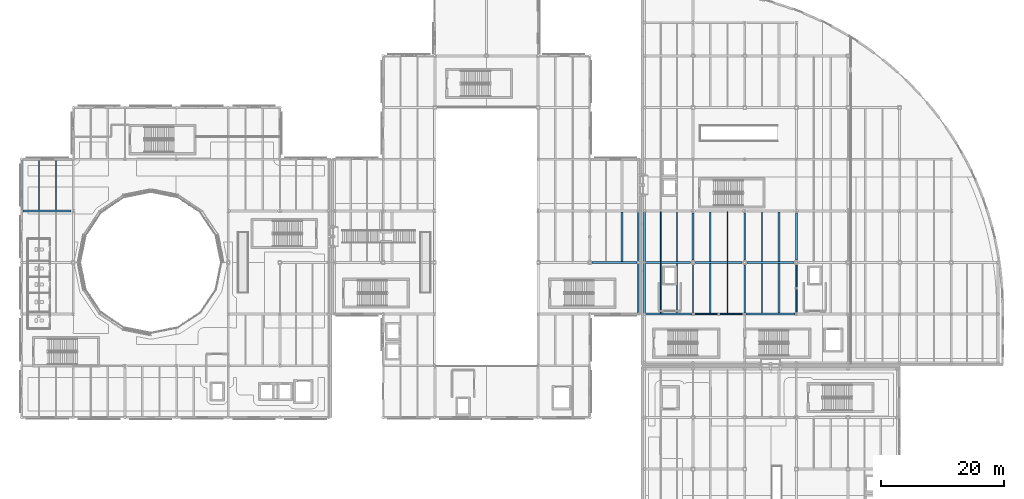
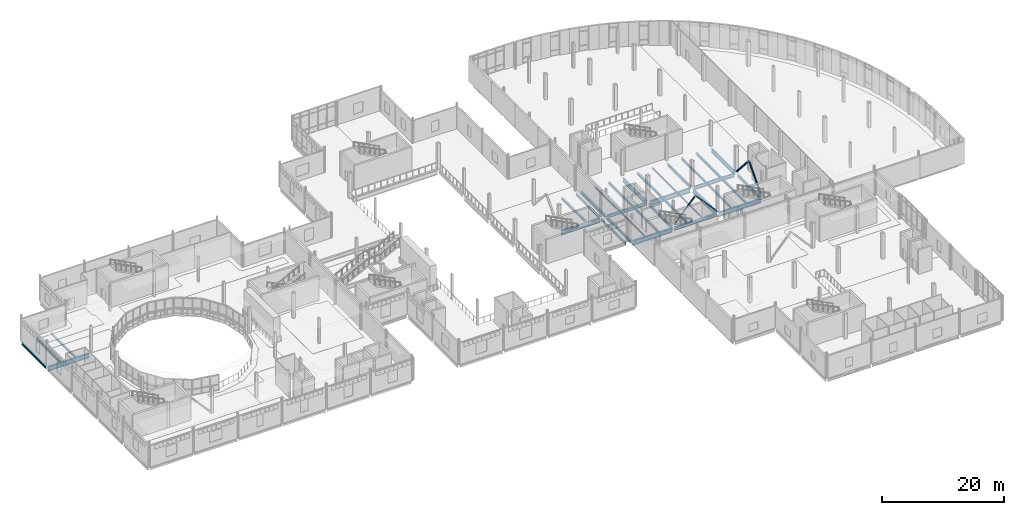
# One storey, part 25 of 104: 34 beams, 4 members.
"""IFC4 building model written with IfcOpenShell, lengths in metres."""

from ifc_helpers import new_model, si_unit, direction, frame, origin, origin_2d, place, context, subcontext, project, spatial, hollow_rectangle, hollow_circle, i_section, extrude, material, material_profile, profile_set, type_object, element, save


model = new_model("IFC4")

# Units and contexts
model_context = context("Model", 3, precision=1e-05, world=origin(), true_north=direction((0.0, 1.0)))
body_context = subcontext(model_context, "Body", "Model", "MODEL_VIEW")
ifc_project = project(units=[si_unit("LENGTHUNIT", "METRE"), si_unit("AREAUNIT", "SQUARE_METRE"), si_unit("VOLUMEUNIT", "CUBIC_METRE"), si_unit("PLANEANGLEUNIT", "RADIAN"), si_unit("MASSUNIT", "GRAM", prefix="KILO"), si_unit("THERMODYNAMICTEMPERATUREUNIT", "KELVIN")], contexts=[model_context])

# Site, building, storey
site_placement = place(None, origin())
site = spatial("IfcSite", under=ifc_project, at=site_placement, CompositionType="ELEMENT")
building_placement = place(site_placement, origin())
building = spatial("IfcBuilding", under=site, at=building_placement, Name="Lustrewick Department Store", CompositionType="ELEMENT")
storey_placement = place(building_placement, frame((0.0, 0.0, 11.39990234375)))
storey = spatial("IfcBuildingStorey", under=building, at=storey_placement, Name="L03", CompositionType="ELEMENT", Elevation=11.39990234375)

# Beams
ifc_material_1 = material(Name="Structural steel Q355B", Category="steel")
ifc_material_profile_1 = material_profile(ifc_material_1, i_section(OverallWidth=0.198974609375, OverallDepth=0.49609375, WebThickness=0.009033203125, FlangeThickness=0.013916015625, FilletRadius=0.01611328125, at=origin_2d()), Name="HN 496x199x9x14")
ifc_profile_set_1 = profile_set([ifc_material_profile_1], Name="Structural steel Q355B")
beam_type_1 = type_object("IfcBeamType", Name="B02", PredefinedType="JOIST", material=ifc_profile_set_1)
beam_1_placement = place(storey_placement, frame((11.199951171875, 75.75, -0.5029296875), z_axis=(0.0, 1.0, 0.0), x_axis=(-1.0, 0.0, 0.0)))
element("IfcBeam", 1, at=beam_1_placement, inside=storey, type_object=beam_type_1, Name="L03 V1 Secondary Joist B02", PredefinedType="JOIST", context=body_context, shape_type="SweptSolid", body=[
    extrude(i_section(OverallWidth=0.198974609375, OverallDepth=0.49609375, WebThickness=0.009033203125, FlangeThickness=0.013916015625, FilletRadius=0.01611328125, at=origin_2d()), origin(), (0.0, 0.0, 1.0), 8.14990234375),
])
ifc_material_profile_2 = material_profile(ifc_material_1, i_section(OverallWidth=0.199951171875, OverallDepth=0.449951171875, WebThickness=0.009033203125, FlangeThickness=0.013916015625, FilletRadius=0.01611328125, at=origin_2d()), Name="HN 450x200x9x14")
ifc_profile_set_2 = profile_set([ifc_material_profile_2], Name="Structural steel Q355B")
beam_type_2 = type_object("IfcBeamType", Name="B03", PredefinedType="JOIST", material=ifc_profile_set_2)
beam_2_placement = place(storey_placement, frame((114.966796875, 58.950927734375, -0.47998046875), z_axis=(0.0, 1.0, 0.0), x_axis=(-1.0, 0.0, 0.0)))
element("IfcBeam", 2, at=beam_2_placement, inside=storey, type_object=beam_type_2, Name="L03 V4 Secondary Joist B03", PredefinedType="JOIST", context=body_context, shape_type="SweptSolid", body=[
    extrude(i_section(OverallWidth=0.199951171875, OverallDepth=0.449951171875, WebThickness=0.009033203125, FlangeThickness=0.013916015625, FilletRadius=0.01611328125, at=origin_2d()), origin(), (0.0, 0.0, 1.0), 8.09814453125),
])
beam_3_placement = place(storey_placement, frame((128.800048828125, 58.950927734375, -0.47998046875), z_axis=(0.0, 1.0, 0.0), x_axis=(-1.0, 0.0, 0.0)))
element("IfcBeam", 3, at=beam_3_placement, inside=storey, type_object=beam_type_2, Name="L03 V4 Secondary Joist B03", PredefinedType="JOIST", context=body_context, shape_type="SweptSolid", body=[
    extrude(i_section(OverallWidth=0.199951171875, OverallDepth=0.449951171875, WebThickness=0.009033203125, FlangeThickness=0.013916015625, FilletRadius=0.01611328125, at=origin_2d()), origin(), (0.0, 0.0, 1.0), 8.09912109375),
])
beam_4_placement = place(storey_placement, frame((114.966796875, 67.35107421875, -0.47998046875), z_axis=(0.0, 1.0, 0.0), x_axis=(-1.0, 0.0, 0.0)))
element("IfcBeam", 4, at=beam_4_placement, inside=storey, type_object=beam_type_2, Name="L03 V4 Secondary Joist B03", PredefinedType="JOIST", context=body_context, shape_type="SweptSolid", body=[
    extrude(i_section(OverallWidth=0.199951171875, OverallDepth=0.449951171875, WebThickness=0.009033203125, FlangeThickness=0.013916015625, FilletRadius=0.01611328125, at=origin_2d()), origin(), (0.0, 0.0, 1.0), 8.097900390625),
])
beam_5_placement = place(storey_placement, frame((128.800048828125, 67.35009765625, -0.47998046875), z_axis=(0.0, 1.0, 0.0), x_axis=(-1.0, 0.0, 0.0)))
element("IfcBeam", 5, at=beam_5_placement, inside=storey, type_object=beam_type_2, Name="L03 V4 Secondary Joist B03", PredefinedType="JOIST", context=body_context, shape_type="SweptSolid", body=[
    extrude(i_section(OverallWidth=0.199951171875, OverallDepth=0.449951171875, WebThickness=0.009033203125, FlangeThickness=0.013916015625, FilletRadius=0.01611328125, at=origin_2d()), origin(), (0.0, 0.0, 1.0), 8.098876953125),
])
ifc_material_profile_3 = material_profile(ifc_material_1, i_section(OverallWidth=0.198974609375, OverallDepth=0.39599609375, WebThickness=0.007080078125, FlangeThickness=0.010986328125, FilletRadius=0.013916015625, at=origin_2d()), Name="HN 396x199x7x11")
ifc_profile_set_3 = profile_set([ifc_material_profile_3], Name="Structural steel Q355B")
beam_type_3 = type_object("IfcBeamType", Name="B06", PredefinedType="JOIST", material=ifc_profile_set_3)
beam_6_placement = place(storey_placement, frame((14.0, 75.75, -0.452880859375), z_axis=(0.0, 1.0, 0.0), x_axis=(-1.0, 0.0, 0.0)))
element("IfcBeam", 6, at=beam_6_placement, inside=storey, type_object=beam_type_3, Name="L03 V1 Secondary Joist B06", PredefinedType="JOIST", context=body_context, shape_type="SweptSolid", body=[
    extrude(i_section(OverallWidth=0.198974609375, OverallDepth=0.39599609375, WebThickness=0.007080078125, FlangeThickness=0.010986328125, FilletRadius=0.013916015625, at=origin_2d()), origin(), (0.0, 0.0, 1.0), 8.14990234375),
])
ifc_material_profile_4 = material_profile(ifc_material_1, i_section(OverallWidth=0.300048828125, OverallDepth=0.389892578125, WebThickness=0.010009765625, FlangeThickness=0.01611328125, FilletRadius=0.01806640625, at=origin_2d()), Name="HM 390x300x10x16")
ifc_profile_set_4 = profile_set([ifc_material_profile_4], Name="Structural steel Q355B")
beam_type_4 = type_object("IfcBeamType", Name="B07", PredefinedType="JOIST", material=ifc_profile_set_4)
beam_7_placement = place(storey_placement, frame((106.066650390625, 67.35107421875, -0.449951171875), z_axis=(0.0, 1.0, 0.0), x_axis=(-1.0, 0.0, 0.0)))
element("IfcBeam", 7, at=beam_7_placement, inside=storey, type_object=beam_type_4, Name="L03 V2 Secondary Joist B07", PredefinedType="JOIST", context=body_context, shape_type="SweptSolid", body=[
    extrude(i_section(OverallWidth=0.300048828125, OverallDepth=0.389892578125, WebThickness=0.010009765625, FlangeThickness=0.01611328125, FilletRadius=0.01806640625, at=origin_2d()), origin(), (0.0, 0.0, 1.0), 8.098876953125),
])
for number, where, z_axis, x_axis, name in (
    (8, (120.39990234375, 58.949951171875, -0.449951171875), (0.0, 1.0, 0.0), (-1.0, 0.0, 0.0), "L03 V4 Secondary Joist B07"),
    (9, (131.60009765625, 58.950927734375, -0.449951171875), (0.0, 1.0, 0.0), (-1.0, 0.0, 0.0), "L03 V4 Secondary Joist B07"),
):
    element("IfcBeam", number, at=place(storey_placement, frame(where, z_axis=z_axis, x_axis=x_axis)), inside=storey, type_object=beam_type_4, Name=name, PredefinedType="JOIST", context=body_context, shape_type="SweptSolid", body=[
        extrude(i_section(OverallWidth=0.300048828125, OverallDepth=0.389892578125, WebThickness=0.010009765625, FlangeThickness=0.01611328125, FilletRadius=0.01806640625, at=origin_2d()), origin(), (0.0, 0.0, 1.0), 8.09912109375),
    ])
for number, where, z_axis, x_axis, name in (
    (10, (120.39990234375, 67.35107421875, -0.449951171875), (0.0, 1.0, 0.0), (-1.0, 0.0, 0.0), "L03 V4 Secondary Joist B07"),
    (11, (131.60009765625, 67.35009765625, -0.449951171875), (0.0, 1.0, 0.0), (-1.0, 0.0, 0.0), "L03 V4 Secondary Joist B07"),
):
    element("IfcBeam", number, at=place(storey_placement, frame(where, z_axis=z_axis, x_axis=x_axis)), inside=storey, type_object=beam_type_4, Name=name, PredefinedType="JOIST", context=body_context, shape_type="SweptSolid", body=[
        extrude(i_section(OverallWidth=0.300048828125, OverallDepth=0.389892578125, WebThickness=0.010009765625, FlangeThickness=0.01611328125, FilletRadius=0.01806640625, at=origin_2d()), origin(), (0.0, 0.0, 1.0), 8.098876953125),
    ])
ifc_material_profile_5 = material_profile(ifc_material_1, i_section(OverallWidth=0.14990234375, OverallDepth=0.300048828125, WebThickness=0.006591796875, FlangeThickness=0.009033203125, FilletRadius=0.011962890625, at=origin_2d()), Name="HN 300x150x6.5x9")
ifc_profile_set_5 = profile_set([ifc_material_profile_5], Name="Structural steel Q355B")
beam_type_5 = type_object("IfcBeamType", Name="B11", PredefinedType="JOIST", material=ifc_profile_set_5)
beam_8_placement = place(storey_placement, frame((123.199951171875, 58.949951171875, -0.40478515625), z_axis=(0.0, 1.0, 0.0), x_axis=(-1.0, 0.0, 0.0)))
element("IfcBeam", 12, at=beam_8_placement, inside=storey, type_object=beam_type_5, Name="L03 V4 Secondary Joist B11", PredefinedType="JOIST", context=body_context, shape_type="SweptSolid", body=[
    extrude(i_section(OverallWidth=0.14990234375, OverallDepth=0.300048828125, WebThickness=0.006591796875, FlangeThickness=0.009033203125, FilletRadius=0.011962890625, at=origin_2d()), origin(), (0.0, 0.0, 1.0), 8.09912109375),
])
beam_9_placement = place(storey_placement, frame((123.199951171875, 67.35107421875, -0.40478515625), z_axis=(0.0, 1.0, 0.0), x_axis=(-1.0, 0.0, 0.0)))
element("IfcBeam", 13, at=beam_9_placement, inside=storey, type_object=beam_type_5, Name="L03 V4 Secondary Joist B11", PredefinedType="JOIST", context=body_context, shape_type="SweptSolid", body=[
    extrude(i_section(OverallWidth=0.14990234375, OverallDepth=0.300048828125, WebThickness=0.006591796875, FlangeThickness=0.009033203125, FilletRadius=0.011962890625, at=origin_2d()), origin(), (0.0, 0.0, 1.0), 8.098876953125),
])
ifc_material_profile_6 = material_profile(ifc_material_1, i_section(OverallWidth=0.14892578125, OverallDepth=0.298095703125, WebThickness=0.005615234375, FlangeThickness=0.008056640625, FilletRadius=0.011962890625, at=origin_2d()), Name="HN 298x149x5.5x8")
ifc_profile_set_6 = profile_set([ifc_material_profile_6], Name="Structural steel Q355B")
beam_type_6 = type_object("IfcBeamType", Name="B12", PredefinedType="JOIST", material=ifc_profile_set_6)
beam_10_placement = place(storey_placement, frame((112.333251953125, 58.950927734375, -0.40380859375), z_axis=(0.0, 1.0, 0.0), x_axis=(-1.0, 0.0, 0.0)))
element("IfcBeam", 14, at=beam_10_placement, inside=storey, type_object=beam_type_6, Name="L03 V4 Secondary Joist B12", PredefinedType="JOIST", context=body_context, shape_type="SweptSolid", body=[
    extrude(i_section(OverallWidth=0.14892578125, OverallDepth=0.298095703125, WebThickness=0.005615234375, FlangeThickness=0.008056640625, FilletRadius=0.011962890625, at=origin_2d()), origin(), (0.0, 0.0, 1.0), 8.09814453125),
])
beam_11_placement = place(storey_placement, frame((112.333251953125, 67.35107421875, -0.40380859375), z_axis=(0.0, 1.0, 0.0), x_axis=(-1.0, 0.0, 0.0)))
element("IfcBeam", 15, at=beam_11_placement, inside=storey, type_object=beam_type_6, Name="L03 V4 Secondary Joist B12", PredefinedType="JOIST", context=body_context, shape_type="SweptSolid", body=[
    extrude(i_section(OverallWidth=0.14892578125, OverallDepth=0.298095703125, WebThickness=0.005615234375, FlangeThickness=0.008056640625, FilletRadius=0.011962890625, at=origin_2d()), origin(), (0.0, 0.0, 1.0), 8.097900390625),
])

# Members
ifc_material_2 = material(Name="Structural steel Q355C", Category="steel")
ifc_material_profile_7 = material_profile(ifc_material_2, hollow_circle(Radius=0.16259765625, WallThickness=0.011962890625, at=origin_2d()), Name="CHS 325x12")
ifc_profile_set_7 = profile_set([ifc_material_profile_7], Name="Structural steel Q355C")
member_type_1 = type_object("IfcMemberType", Name="BR01", PredefinedType="BRACE", material=ifc_profile_set_7)
member_1_placement = place(storey_placement, frame((134.39990234375, 58.97509765625, 0.150146484375), z_axis=(0.0, 0.67031588717, 0.742075879818), x_axis=(-1.0, 0.0, 0.0)))
element("IfcMember", 16, at=member_1_placement, inside=storey, type_object=member_type_1, Name="L03 V4 Chevron Brace BR01", PredefinedType="BRACE", context=body_context, shape_type="SweptSolid", body=[
    extrude(hollow_circle(Radius=0.16259765625, WallThickness=0.011962890625, at=origin_2d()), origin(), (0.0, 0.0, 1.0), 5.855224609375),
])
member_2_placement = place(storey_placement, frame((134.39990234375, 66.949951171875, 0.150146484375), z_axis=(0.0, -0.66317529088, 0.748464116418), x_axis=(1.0, 0.0, 0.0)))
element("IfcMember", 17, at=member_2_placement, inside=storey, type_object=member_type_1, Name="L03 V4 Chevron Brace BR01", PredefinedType="BRACE", context=body_context, shape_type="SweptSolid", body=[
    extrude(hollow_circle(Radius=0.16259765625, WallThickness=0.011962890625, at=origin_2d()), origin(), (0.0, 0.0, 1.0), 5.80517578125),
])
ifc_material_profile_8 = material_profile(ifc_material_1, hollow_rectangle(XDim=0.179931640625, YDim=0.179931640625, WallThickness=0.008056640625, at=origin_2d()), Name="SHS 180x180x8")
ifc_profile_set_8 = profile_set([ifc_material_profile_8], Name="Structural steel Q355B")
member_type_2 = type_object("IfcMemberType", Name="BR10", PredefinedType="BRACE", material=ifc_profile_set_8)
for number, where, z_axis, x_axis, name in (
    (18, (117.77490234375, 58.800048828125, 0.150146484375), (0.670338847595, 0.0, 0.742055139059), (0.0, 1.0, 0.0), "L03 V4 Chevron Brace BR10"),
    (19, (125.824951171875, 58.800048828125, 0.150146484375), (-0.670338847595, 0.0, 0.742055139059), (0.0, -1.0, 0.0), "L03 V4 Chevron Brace BR10"),
):
    element("IfcMember", number, at=place(storey_placement, frame(where, z_axis=z_axis, x_axis=x_axis)), inside=storey, type_object=member_type_2, Name=name, PredefinedType="BRACE", context=body_context, shape_type="SweptSolid", body=[
        extrude(hollow_rectangle(XDim=0.179931640625, YDim=0.179931640625, WallThickness=0.008056640625, at=origin_2d()), origin(), (0.0, 0.0, 1.0), 5.855224609375),
    ])

# Beams
ifc_material_profile_9 = material_profile(ifc_material_2, i_section(OverallWidth=0.302001953125, OverallDepth=0.912109375, WebThickness=0.01806640625, FlangeThickness=0.033935546875, FilletRadius=0.02392578125, at=origin_2d()), Name="HN 912x302x18x34")
ifc_profile_set_9 = profile_set([ifc_material_profile_9], Name="Structural steel Q355C")
beam_type_7 = type_object("IfcBeamType", Name="G01", PredefinedType="BEAM", material=ifc_profile_set_9)
beam_12_placement = place(storey_placement, frame((101.199951171875, 67.199951171875, -0.7109375), z_axis=(1.0, 0.0, 0.0), x_axis=(0.0, 1.0, 0.0)))
element("IfcBeam", 20, at=beam_12_placement, inside=storey, type_object=beam_type_7, Name="L03 V2 Girder G01", PredefinedType="BEAM", context=body_context, shape_type="SweptSolid", body=[
    extrude(i_section(OverallWidth=0.302001953125, OverallDepth=0.912109375, WebThickness=0.01806640625, FlangeThickness=0.033935546875, FilletRadius=0.02392578125, at=origin_2d()), origin(), (0.0, 0.0, 1.0), 7.3115234375),
])
beam_13_placement = place(storey_placement, frame((109.888427734375, 58.800048828125, -0.7109375), z_axis=(1.0, 0.0, 0.0), x_axis=(0.0, 1.0, 0.0)))
element("IfcBeam", 21, at=beam_13_placement, inside=storey, type_object=beam_type_7, Name="L03 V4 Girder G01", PredefinedType="BEAM", context=body_context, shape_type="SweptSolid", body=[
    extrude(i_section(OverallWidth=0.302001953125, OverallDepth=0.912109375, WebThickness=0.01806640625, FlangeThickness=0.033935546875, FilletRadius=0.02392578125, at=origin_2d()), origin(), (0.0, 0.0, 1.0), 7.509033203125),
])
beam_14_placement = place(storey_placement, frame((126.202392578125, 58.800048828125, -0.7109375), z_axis=(1.0, 0.0, 0.0), x_axis=(0.0, 1.0, 0.0)))
element("IfcBeam", 22, at=beam_14_placement, inside=storey, type_object=beam_type_7, Name="L03 V4 Girder G01", PredefinedType="BEAM", context=body_context, shape_type="SweptSolid", body=[
    extrude(i_section(OverallWidth=0.302001953125, OverallDepth=0.912109375, WebThickness=0.01806640625, FlangeThickness=0.033935546875, FilletRadius=0.02392578125, at=origin_2d()), origin(), (0.0, 0.0, 1.0), 7.9951171875),
])
beam_15_placement = place(storey_placement, frame((118.0, 67.199951171875, -0.7109375), z_axis=(1.0, 0.0, 0.0), x_axis=(0.0, 1.0, 0.0)))
element("IfcBeam", 23, at=beam_15_placement, inside=storey, type_object=beam_type_7, Name="L03 V4 Girder G01", PredefinedType="BEAM", context=body_context, shape_type="SweptSolid", body=[
    extrude(i_section(OverallWidth=0.302001953125, OverallDepth=0.912109375, WebThickness=0.01806640625, FlangeThickness=0.033935546875, FilletRadius=0.02392578125, at=origin_2d()), origin(), (0.0, 0.0, 1.0), 7.60009765625),
])
ifc_material_profile_10 = material_profile(ifc_material_2, i_section(OverallWidth=0.300048828125, OverallDepth=0.89990234375, WebThickness=0.01611328125, FlangeThickness=0.028076171875, FilletRadius=0.02392578125, at=origin_2d()), Name="HN 900x300x16x28")
ifc_profile_set_10 = profile_set([ifc_material_profile_10], Name="Structural steel Q355C")
beam_type_8 = type_object("IfcBeamType", Name="G02", PredefinedType="BEAM", material=ifc_profile_set_10)
beam_16_placement = place(storey_placement, frame((8.58837890625, 75.60009765625, -0.704833984375), z_axis=(1.0, 0.0, 0.0), x_axis=(0.0, 1.0, 0.0)))
element("IfcBeam", 24, at=beam_16_placement, inside=storey, type_object=beam_type_8, Name="L03 V1 Girder G02", PredefinedType="BEAM", context=body_context, shape_type="SweptSolid", body=[
    extrude(i_section(OverallWidth=0.300048828125, OverallDepth=0.89990234375, WebThickness=0.01611328125, FlangeThickness=0.028076171875, FilletRadius=0.02392578125, at=origin_2d()), origin(), (0.0, 0.0, 1.0), 7.836669921875),
])
ifc_material_profile_11 = material_profile(ifc_material_1, i_section(OverallWidth=0.300048828125, OverallDepth=0.7919921875, WebThickness=0.013916015625, FlangeThickness=0.02197265625, FilletRadius=0.02197265625, at=origin_2d()), Name="HN 792x300x14x22")
ifc_profile_set_11 = profile_set([ifc_material_profile_11], Name="Structural steel Q355B")
beam_type_9 = type_object("IfcBeamType", Name="G06", PredefinedType="BEAM", material=ifc_profile_set_11)
beam_17_placement = place(storey_placement, frame((117.60009765625, 67.60009765625, -0.65087890625), z_axis=(0.0, 1.0, 0.0), x_axis=(-1.0, 0.0, 0.0)))
element("IfcBeam", 25, at=beam_17_placement, inside=storey, type_object=beam_type_9, Name="L03 V4 Girder G06", PredefinedType="BEAM", context=body_context, shape_type="SweptSolid", body=[
    extrude(i_section(OverallWidth=0.300048828125, OverallDepth=0.7919921875, WebThickness=0.013916015625, FlangeThickness=0.02197265625, FilletRadius=0.02197265625, at=origin_2d()), origin(), (0.0, 0.0, 1.0), 7.625),
])
beam_18_placement = place(storey_placement, frame((126.0, 59.007080078125, -0.65087890625), z_axis=(0.0, 1.0, 0.0), x_axis=(-1.0, 0.0, 0.0)))
element("IfcBeam", 26, at=beam_18_placement, inside=storey, type_object=beam_type_9, Name="L03 V4 Girder G06", PredefinedType="BEAM", context=body_context, shape_type="SweptSolid", body=[
    extrude(i_section(OverallWidth=0.300048828125, OverallDepth=0.7919921875, WebThickness=0.013916015625, FlangeThickness=0.02197265625, FilletRadius=0.02197265625, at=origin_2d()), origin(), (0.0, 0.0, 1.0), 7.79296875),
])
beam_19_placement = place(storey_placement, frame((134.39990234375, 67.60009765625, -0.65087890625), z_axis=(0.0, 1.0, 0.0), x_axis=(-1.0, 0.0, 0.0)))
element("IfcBeam", 27, at=beam_19_placement, inside=storey, type_object=beam_type_9, Name="L03 V4 Girder G06", PredefinedType="BEAM", context=body_context, shape_type="SweptSolid", body=[
    extrude(i_section(OverallWidth=0.300048828125, OverallDepth=0.7919921875, WebThickness=0.013916015625, FlangeThickness=0.02197265625, FilletRadius=0.02197265625, at=origin_2d()), origin(), (0.0, 0.0, 1.0), 7.625),
])
ifc_material_profile_12 = material_profile(ifc_material_1, i_section(OverallWidth=0.300048828125, OverallDepth=0.69189453125, WebThickness=0.012939453125, FlangeThickness=0.02001953125, FilletRadius=0.02001953125, at=origin_2d()), Name="HN 692x300x13x20")
ifc_profile_set_12 = profile_set([ifc_material_profile_12], Name="Structural steel Q355B")
beam_type_10 = type_object("IfcBeamType", Name="G09", PredefinedType="BEAM", material=ifc_profile_set_12)
beam_20_placement = place(storey_placement, frame((117.802490234375, 58.800048828125, -0.600830078125), z_axis=(1.0, 0.0, 0.0), x_axis=(0.0, 1.0, 0.0)))
element("IfcBeam", 28, at=beam_20_placement, inside=storey, type_object=beam_type_10, Name="L03 V4 Girder G09", PredefinedType="BEAM", context=body_context, shape_type="SweptSolid", body=[
    extrude(i_section(OverallWidth=0.300048828125, OverallDepth=0.69189453125, WebThickness=0.012939453125, FlangeThickness=0.02001953125, FilletRadius=0.02001953125, at=origin_2d()), origin(), (0.0, 0.0, 1.0), 7.9951171875),
])
beam_21_placement = place(storey_placement, frame((126.39990234375, 67.199951171875, -0.600830078125), z_axis=(1.0, 0.0, 0.0), x_axis=(0.0, 1.0, 0.0)))
element("IfcBeam", 29, at=beam_21_placement, inside=storey, type_object=beam_type_10, Name="L03 V4 Girder G09", PredefinedType="BEAM", context=body_context, shape_type="SweptSolid", body=[
    extrude(i_section(OverallWidth=0.300048828125, OverallDepth=0.69189453125, WebThickness=0.012939453125, FlangeThickness=0.02001953125, FilletRadius=0.02001953125, at=origin_2d()), origin(), (0.0, 0.0, 1.0), 7.60009765625),
])
ifc_material_profile_13 = material_profile(ifc_material_1, i_section(OverallWidth=0.302001953125, OverallDepth=0.593994140625, WebThickness=0.013916015625, FlangeThickness=0.02294921875, FilletRadius=0.02392578125, at=origin_2d()), Name="HM 594x302x14x23")
ifc_profile_set_13 = profile_set([ifc_material_profile_13], Name="Structural steel Q355B")
beam_type_11 = type_object("IfcBeamType", Name="G10", PredefinedType="BEAM", material=ifc_profile_set_13)
beam_22_placement = place(storey_placement, frame((109.888427734375, 67.199951171875, -0.552001953125), z_axis=(1.0, 0.0, 0.0), x_axis=(0.0, 1.0, 0.0)))
element("IfcBeam", 30, at=beam_22_placement, inside=storey, type_object=beam_type_11, Name="L03 V4 Girder G10", PredefinedType="BEAM", context=body_context, shape_type="SweptSolid", body=[
    extrude(i_section(OverallWidth=0.302001953125, OverallDepth=0.593994140625, WebThickness=0.013916015625, FlangeThickness=0.02294921875, FilletRadius=0.02392578125, at=origin_2d()), origin(), (0.0, 0.0, 1.0), 7.3115234375),
])
ifc_material_profile_14 = material_profile(ifc_material_1, i_section(OverallWidth=0.199951171875, OverallDepth=0.60009765625, WebThickness=0.010986328125, FlangeThickness=0.01708984375, FilletRadius=0.01806640625, at=origin_2d()), Name="HN 600x200x11x17")
ifc_profile_set_14 = profile_set([ifc_material_profile_14], Name="Structural steel Q355B")
beam_type_12 = type_object("IfcBeamType", Name="G14", PredefinedType="BEAM", material=ifc_profile_set_14)
beam_23_placement = place(storey_placement, frame((117.60009765625, 59.007080078125, -0.554931640625), z_axis=(0.0, 1.0, 0.0), x_axis=(-1.0, 0.0, 0.0)))
element("IfcBeam", 31, at=beam_23_placement, inside=storey, type_object=beam_type_12, Name="L03 V4 Girder G14", PredefinedType="BEAM", context=body_context, shape_type="SweptSolid", body=[
    extrude(i_section(OverallWidth=0.199951171875, OverallDepth=0.60009765625, WebThickness=0.010986328125, FlangeThickness=0.01708984375, FilletRadius=0.01806640625, at=origin_2d()), origin(), (0.0, 0.0, 1.0), 7.79296875),
])
beam_24_placement = place(storey_placement, frame((126.0, 67.60009765625, -0.554931640625), z_axis=(0.0, 1.0, 0.0), x_axis=(-1.0, 0.0, 0.0)))
element("IfcBeam", 32, at=beam_24_placement, inside=storey, type_object=beam_type_12, Name="L03 V4 Girder G14", PredefinedType="BEAM", context=body_context, shape_type="SweptSolid", body=[
    extrude(i_section(OverallWidth=0.199951171875, OverallDepth=0.60009765625, WebThickness=0.010986328125, FlangeThickness=0.01708984375, FilletRadius=0.01806640625, at=origin_2d()), origin(), (0.0, 0.0, 1.0), 7.625),
])
beam_25_placement = place(storey_placement, frame((134.39990234375, 59.007080078125, -0.554931640625), z_axis=(0.0, 1.0, 0.0), x_axis=(-1.0, 0.0, 0.0)))
element("IfcBeam", 33, at=beam_25_placement, inside=storey, type_object=beam_type_12, Name="L03 V4 Girder G14", PredefinedType="BEAM", context=body_context, shape_type="SweptSolid", body=[
    extrude(i_section(OverallWidth=0.199951171875, OverallDepth=0.60009765625, WebThickness=0.010986328125, FlangeThickness=0.01708984375, FilletRadius=0.01806640625, at=origin_2d()), origin(), (0.0, 0.0, 1.0), 7.79296875),
])
ifc_material_profile_15 = material_profile(ifc_material_1, i_section(OverallWidth=0.200927734375, OverallDepth=0.506103515625, WebThickness=0.010986328125, FlangeThickness=0.01904296875, FilletRadius=0.01611328125, at=origin_2d()), Name="HN 506x201x11x19")
ifc_profile_set_15 = profile_set([ifc_material_profile_15], Name="Structural steel Q355B")
beam_type_13 = type_object("IfcBeamType", Name="SP01", PredefinedType="SPANDREL", material=ifc_profile_set_15)
beam_26_placement = place(storey_placement, frame((108.699951171875, 58.988525390625, -0.5078125), z_axis=(0.0, 1.0, 0.0), x_axis=(-1.0, 0.0, 0.0)))
element("IfcBeam", 34, at=beam_26_placement, inside=storey, type_object=beam_type_13, Name="L03 V2 Girder SP01", PredefinedType="SPANDREL", context=body_context, shape_type="SweptSolid", body=[
    extrude(i_section(OverallWidth=0.200927734375, OverallDepth=0.506103515625, WebThickness=0.010986328125, FlangeThickness=0.01904296875, FilletRadius=0.01611328125, at=origin_2d()), origin(), (0.0, 0.0, 1.0), 8.02294921875),
])
beam_27_placement = place(storey_placement, frame((108.699951171875, 67.388427734375, -0.5078125), z_axis=(0.0, 1.0, 0.0), x_axis=(-1.0, 0.0, 0.0)))
element("IfcBeam", 35, at=beam_27_placement, inside=storey, type_object=beam_type_13, Name="L03 V2 Girder SP01", PredefinedType="SPANDREL", context=body_context, shape_type="SweptSolid", body=[
    extrude(i_section(OverallWidth=0.200927734375, OverallDepth=0.506103515625, WebThickness=0.010986328125, FlangeThickness=0.01904296875, FilletRadius=0.01611328125, at=origin_2d()), origin(), (0.0, 0.0, 1.0), 8.008544921875),
])
ifc_material_profile_16 = material_profile(ifc_material_1, i_section(OverallWidth=0.300048828125, OverallDepth=0.43994140625, WebThickness=0.010986328125, FlangeThickness=0.01806640625, FilletRadius=0.02001953125, at=origin_2d()), Name="HM 440x300x11x18")
ifc_profile_set_16 = profile_set([ifc_material_profile_16], Name="Structural steel Q355B")
beam_type_14 = type_object("IfcBeamType", Name="SP02", PredefinedType="SPANDREL", material=ifc_profile_set_16)
beam_28_placement = place(storey_placement, frame((8.39990234375, 75.78857421875, -0.474853515625), z_axis=(0.0, 1.0, 0.0), x_axis=(-1.0, 0.0, 0.0)))
element("IfcBeam", 36, at=beam_28_placement, inside=storey, type_object=beam_type_14, Name="L03 V1 Girder SP02", PredefinedType="SPANDREL", context=body_context, shape_type="SweptSolid", body=[
    extrude(i_section(OverallWidth=0.300048828125, OverallDepth=0.43994140625, WebThickness=0.010986328125, FlangeThickness=0.01806640625, FilletRadius=0.02001953125, at=origin_2d()), origin(), (0.0, 0.0, 1.0), 8.008544921875),
])
beam_29_placement = place(storey_placement, frame((109.699951171875, 58.988525390625, -0.474853515625), z_axis=(0.0, 1.0, 0.0), x_axis=(-1.0, 0.0, 0.0)))
element("IfcBeam", 37, at=beam_29_placement, inside=storey, type_object=beam_type_14, Name="L03 V4 Girder SP02", PredefinedType="SPANDREL", context=body_context, shape_type="SweptSolid", body=[
    extrude(i_section(OverallWidth=0.300048828125, OverallDepth=0.43994140625, WebThickness=0.010986328125, FlangeThickness=0.01806640625, FilletRadius=0.02001953125, at=origin_2d()), origin(), (0.0, 0.0, 1.0), 8.02294921875),
])
beam_30_placement = place(storey_placement, frame((109.699951171875, 67.388427734375, -0.474853515625), z_axis=(0.0, 1.0, 0.0), x_axis=(-1.0, 0.0, 0.0)))
element("IfcBeam", 38, at=beam_30_placement, inside=storey, type_object=beam_type_14, Name="L03 V4 Girder SP02", PredefinedType="SPANDREL", context=body_context, shape_type="SweptSolid", body=[
    extrude(i_section(OverallWidth=0.300048828125, OverallDepth=0.43994140625, WebThickness=0.010986328125, FlangeThickness=0.01806640625, FilletRadius=0.02001953125, at=origin_2d()), origin(), (0.0, 0.0, 1.0), 8.008544921875),
])

save(model, "model.ifc")
